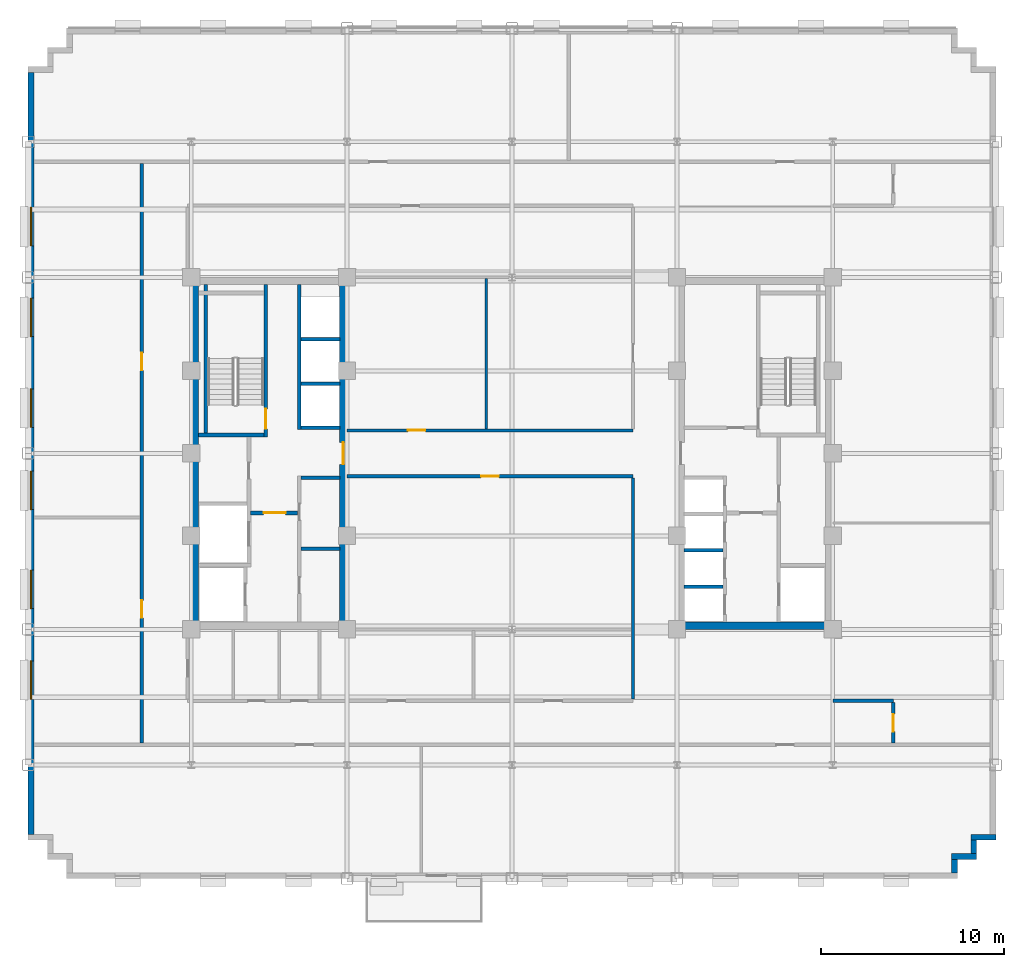
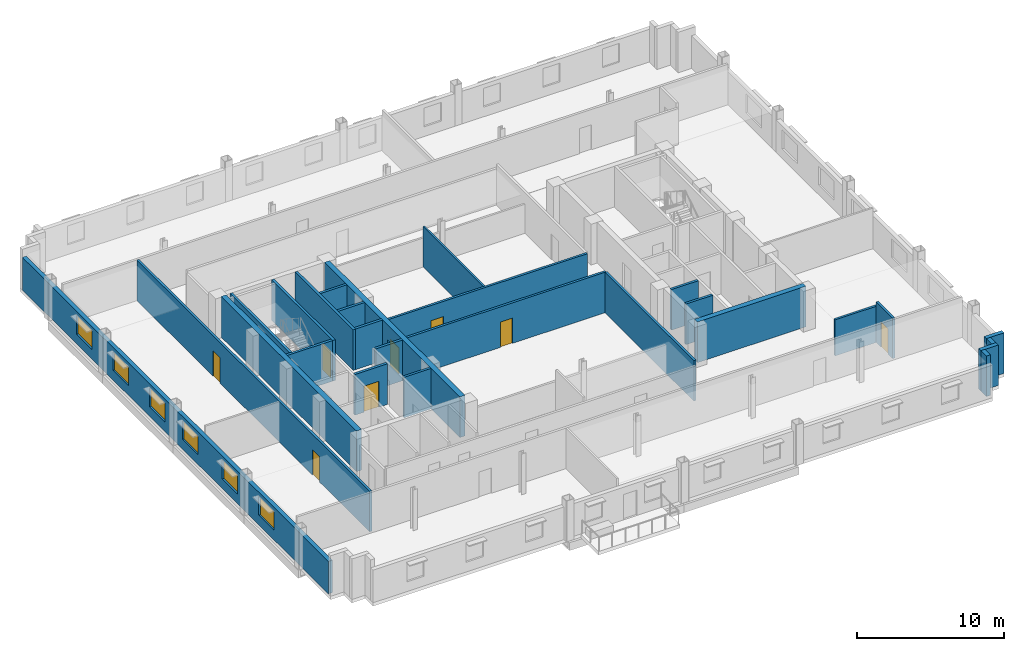
# One storey, part 7 of 14: 27 walls, 8 doors, 6 windows, 14 openings.
"""IFC4 building model written with IfcOpenShell, lengths in metres."""

from ifc_helpers import new_model, si_unit, direction, frame, frame_2d, origin, place, context, subcontext, project, spatial, rectangle, extrude, source, transform, mapped, material, layer, layer_set, type_object, type_shapes, element, fill, save


model = new_model("IFC4")

# Units and contexts
model_context = context("Model", 3, precision=1e-05, world=origin(), true_north=direction((0.0, 1.0)))
body_context = subcontext(model_context, "Body", "Model", "MODEL_VIEW")
ifc_project = project(units=[si_unit("LENGTHUNIT", "METRE"), si_unit("AREAUNIT", "SQUARE_METRE"), si_unit("VOLUMEUNIT", "CUBIC_METRE"), si_unit("PLANEANGLEUNIT", "RADIAN"), si_unit("MASSUNIT", "GRAM", prefix="KILO")], contexts=[model_context])

# Site, building, storey
site_placement = place(None, origin())
site = spatial("IfcSite", under=ifc_project, at=site_placement, CompositionType="ELEMENT")
building_placement = place(site_placement, origin())
building = spatial("IfcBuilding", under=site, at=building_placement, Name="Nuvemarco Arch Tower", CompositionType="ELEMENT")
storey_placement = place(building_placement, frame((0.0, 0.0, 127.5)))
storey = spatial("IfcBuildingStorey", under=building, at=storey_placement, Name="L33", CompositionType="ELEMENT", Elevation=127.5)

# Walls
ifc_material_1 = material(Name="Precast concrete C45/55", Category="concrete")
ifc_layer_1 = layer(ifc_material_1, 0.320068359375, Name="EW-MID-320")
ifc_layer_set_1 = layer_set([ifc_layer_1], Name="Precast concrete C45/55")
wall_type_1 = type_object("IfcWallType", Name="EW-MID-320", PredefinedType="STANDARD", material=ifc_layer_set_1)
wall_1_placement = place(storey_placement, frame((24.139892578125, -22.884033203125, 0.0), z_axis=(0.0, 0.0, 1.0), x_axis=(0.0, 1.0, 0.0)))
element("IfcWall", 1, at=wall_1_placement, inside=storey, type_object=wall_type_1, Name="L33 exterior precast facade wall 2", PredefinedType="STANDARD", context=body_context, shape_type="SweptSolid", body=[
    extrude(rectangle(XDim=0.738037109375, YDim=0.320068359375, at=frame_2d((0.369140625, 0.0))), origin(), (0.0, 0.0, 1.0), 3.360107421875),
])
wall_2_placement = place(storey_placement, frame((23.97998046875, -21.989990234375, 0.0), z_axis=(0.0, 0.0, 1.0), x_axis=(1.0, 0.0, 0.0)))
element("IfcWall", 2, at=wall_2_placement, inside=storey, type_object=wall_type_1, Name="L33 exterior precast facade wall 3", PredefinedType="STANDARD", context=body_context, shape_type="SweptSolid", body=[
    extrude(rectangle(XDim=1.3701171875, YDim=0.320068359375, at=frame_2d((0.68505859375, 0.0))), origin(), (0.0, 0.0, 1.0), 3.360107421875),
])
wall_3_placement = place(storey_placement, frame((25.18994140625, -21.833984375, 0.0), z_axis=(0.0, 0.0, 1.0), x_axis=(0.0, 1.0, 0.0)))
element("IfcWall", 3, at=wall_3_placement, inside=storey, type_object=wall_type_1, Name="L33 exterior precast facade wall 4", PredefinedType="STANDARD", context=body_context, shape_type="SweptSolid", body=[
    extrude(rectangle(XDim=0.738037109375, YDim=0.320068359375, at=frame_2d((0.369140625, 0.0))), origin(), (0.0, 0.0, 1.0), 3.360107421875),
])
wall_4_placement = place(storey_placement, frame((25.030029296875, -20.93994140625, 0.0), z_axis=(0.0, 0.0, 1.0), x_axis=(1.0, 0.0, 0.0)))
element("IfcWall", 4, at=wall_4_placement, inside=storey, type_object=wall_type_1, Name="L33 exterior precast facade wall 5", PredefinedType="STANDARD", context=body_context, shape_type="SweptSolid", body=[
    extrude(rectangle(XDim=1.369873046875, YDim=0.320068359375, at=frame_2d((0.68505859375, 0.0))), origin(), (0.0, 0.0, 1.0), 3.360107421875),
])

# Wall, openings, windows
wall_5_placement = place(storey_placement, frame((-26.239990234375, -20.783935546875, 0.0), z_axis=(0.0, 0.0, 1.0), x_axis=(0.0, 1.0, 0.0)))
wall_5 = element("IfcWall", 5, at=wall_5_placement, inside=storey, type_object=wall_type_1, Name="L33 exterior precast facade wall 16", PredefinedType="STANDARD", context=body_context, shape_type="SweptSolid", body=[
    extrude(rectangle(XDim=41.56787109375, YDim=0.320068359375, at=frame_2d((20.783935546875, 0.0))), origin(), (0.0, 0.0, 1.0), 2.705078125),
])
opening_1_placement = place(wall_5_placement, frame((7.368896484375, 0.0, 0.800048828125)))
opening_1 = element("IfcOpeningElement", 6, at=opening_1_placement, cuts=wall_5, Name="Opening WN-5", PredefinedType="OPENING", context=body_context, shape_type="SweptSolid", body=[
    extrude(rectangle(XDim=2.10009765625, YDim=1.56005859375, at=frame_2d((1.050048828125, 0.780029296875))), frame((0.0, 0.169921875, 0.0), z_axis=(0.0, -1.0, 0.0), x_axis=(1.0, 0.0, 0.0)), (0.0, 0.0, 1.0), 0.340087890625),
])
opening_2_placement = place(wall_5_placement, frame((12.31494140625, 0.0, 0.800048828125)))
opening_2 = element("IfcOpeningElement", 7, at=opening_2_placement, cuts=wall_5, Name="Opening WN-5", PredefinedType="OPENING", context=body_context, shape_type="SweptSolid", body=[
    extrude(rectangle(XDim=2.10009765625, YDim=1.56005859375, at=frame_2d((1.050048828125, 0.780029296875))), frame((0.0, 0.169921875, 0.0), z_axis=(0.0, -1.0, 0.0), x_axis=(1.0, 0.0, 0.0)), (0.0, 0.0, 1.0), 0.340087890625),
])
opening_3_placement = place(wall_5_placement, frame((17.7109375, 0.0, 0.800048828125)))
opening_3 = element("IfcOpeningElement", 8, at=opening_3_placement, cuts=wall_5, Name="Opening WN-5", PredefinedType="OPENING", context=body_context, shape_type="SweptSolid", body=[
    extrude(rectangle(XDim=2.10009765625, YDim=1.56005859375, at=frame_2d((1.050048828125, 0.780029296875))), frame((0.0, 0.169921875, 0.0), z_axis=(0.0, -1.0, 0.0), x_axis=(1.0, 0.0, 0.0)), (0.0, 0.0, 1.0), 0.340087890625),
])
opening_4_placement = place(wall_5_placement, frame((22.20703125, 0.0, 0.800048828125)))
opening_4 = element("IfcOpeningElement", 9, at=opening_4_placement, cuts=wall_5, Name="Opening WN-5", PredefinedType="OPENING", context=body_context, shape_type="SweptSolid", body=[
    extrude(rectangle(XDim=2.10009765625, YDim=1.56005859375, at=frame_2d((1.050048828125, 0.780029296875))), frame((0.0, 0.169921875, 0.0), z_axis=(0.0, -1.0, 0.0), x_axis=(1.0, 0.0, 0.0)), (0.0, 0.0, 1.0), 0.340087890625),
])
opening_5_placement = place(wall_5_placement, frame((27.153076171875, 0.0, 0.800048828125)))
opening_5 = element("IfcOpeningElement", 10, at=opening_5_placement, cuts=wall_5, Name="Opening WN-5", PredefinedType="OPENING", context=body_context, shape_type="SweptSolid", body=[
    extrude(rectangle(XDim=2.10009765625, YDim=1.56005859375, at=frame_2d((1.050048828125, 0.780029296875))), frame((0.0, 0.169921875, 0.0), z_axis=(0.0, -1.0, 0.0), x_axis=(1.0, 0.0, 0.0)), (0.0, 0.0, 1.0), 0.340087890625),
])
opening_6_placement = place(wall_5_placement, frame((32.09912109375, 0.0, 0.800048828125)))
opening_6 = element("IfcOpeningElement", 11, at=opening_6_placement, cuts=wall_5, Name="Opening WN-5", PredefinedType="OPENING", context=body_context, shape_type="SweptSolid", body=[
    extrude(rectangle(XDim=2.10009765625, YDim=1.56005859375, at=frame_2d((1.050048828125, 0.780029296875))), frame((0.0, 0.169921875, 0.0), z_axis=(0.0, -1.0, 0.0), x_axis=(1.0, 0.0, 0.0)), (0.0, 0.0, 1.0), 0.340087890625),
])
ifc_material_2 = material(Name="Insulated solar-control glass", Category="glass")
window_type = type_object("IfcWindowType", Name="WN-MID-2100x1560", PartitioningType="DOUBLE_PANEL_VERTICAL", PredefinedType="WINDOW", material=ifc_material_2)
shared_shape_1 = source(origin(), body_context, "Body", "SweptSolid", [
    extrude(rectangle(XDim=2.10009765625, YDim=1.56005859375, at=frame_2d((1.050048828125, 0.780029296875))), frame((0.0, 0.030029296875, 0.0), z_axis=(0.0, -1.0, 0.0), x_axis=(1.0, 0.0, 0.0)), (0.0, 0.0, 1.0), 0.06005859375),
])
type_shapes(window_type, [shared_shape_1])
window_1_placement = place(opening_1_placement, origin())
window_1 = element("IfcWindow", 12, at=window_1_placement, inside=storey, type_object=window_type, Name="L33 punched facade window 2", OverallHeight=1.56005859375, OverallWidth=2.10009765625, PartitioningType="SINGLE_PANEL", PredefinedType="WINDOW", context=body_context, shape_type="MappedRepresentation", body=[
    mapped(shared_shape_1, transform((0.0, 0.0, 0.0), scale=1.0)),
])
fill(opening_1, window_1)
window_2_placement = place(opening_2_placement, origin())
window_2 = element("IfcWindow", 13, at=window_2_placement, inside=storey, type_object=window_type, Name="L33 punched facade window 3", OverallHeight=1.56005859375, OverallWidth=2.10009765625, PartitioningType="SINGLE_PANEL", PredefinedType="WINDOW", context=body_context, shape_type="MappedRepresentation", body=[
    mapped(shared_shape_1, transform((0.0, 0.0, 0.0), scale=1.0)),
])
fill(opening_2, window_2)
window_3_placement = place(opening_3_placement, origin())
window_3 = element("IfcWindow", 14, at=window_3_placement, inside=storey, type_object=window_type, Name="L33 punched facade window 4", OverallHeight=1.56005859375, OverallWidth=2.10009765625, PartitioningType="SINGLE_PANEL", PredefinedType="WINDOW", context=body_context, shape_type="MappedRepresentation", body=[
    mapped(shared_shape_1, transform((0.0, 0.0, 0.0), scale=1.0)),
])
fill(opening_3, window_3)
window_4_placement = place(opening_4_placement, origin())
window_4 = element("IfcWindow", 15, at=window_4_placement, inside=storey, type_object=window_type, Name="L33 punched facade window 5", OverallHeight=1.56005859375, OverallWidth=2.10009765625, PartitioningType="SINGLE_PANEL", PredefinedType="WINDOW", context=body_context, shape_type="MappedRepresentation", body=[
    mapped(shared_shape_1, transform((0.0, 0.0, 0.0), scale=1.0)),
])
fill(opening_4, window_4)
window_5_placement = place(opening_5_placement, origin())
window_5 = element("IfcWindow", 16, at=window_5_placement, inside=storey, type_object=window_type, Name="L33 punched facade window 6", OverallHeight=1.56005859375, OverallWidth=2.10009765625, PartitioningType="SINGLE_PANEL", PredefinedType="WINDOW", context=body_context, shape_type="MappedRepresentation", body=[
    mapped(shared_shape_1, transform((0.0, 0.0, 0.0), scale=1.0)),
])
fill(opening_5, window_5)
window_6_placement = place(opening_6_placement, origin())
window_6 = element("IfcWindow", 17, at=window_6_placement, inside=storey, type_object=window_type, Name="L33 punched facade window 7", OverallHeight=1.56005859375, OverallWidth=2.10009765625, PartitioningType="SINGLE_PANEL", PredefinedType="WINDOW", context=body_context, shape_type="MappedRepresentation", body=[
    mapped(shared_shape_1, transform((0.0, 0.0, 0.0), scale=1.0)),
])
fill(opening_6, window_6)

# Wall
ifc_material_3 = material(Name="Concrete C60/75", Category="concrete")
ifc_layer_2 = layer(ifc_material_3, 0.39990234375, Name="WL-CORE-400")
ifc_layer_set_2 = layer_set([ifc_layer_2], Name="Concrete C60/75")
wall_type_2 = type_object("IfcWallType", Name="WL-CORE-400", PredefinedType="SHEAR", material=ifc_layer_set_2)
wall_6_placement = place(storey_placement, frame((-17.300048828125, -9.205078125, 0.0), z_axis=(0.0, 0.0, 1.0), x_axis=(0.0, 1.0, 0.0)))
element("IfcWall", 18, at=wall_6_placement, inside=storey, type_object=wall_type_2, Name="L33 W-core shear wall W", PredefinedType="SHEAR", context=body_context, shape_type="SweptSolid", body=[
    extrude(rectangle(XDim=18.41015625, YDim=0.39990234375, at=frame_2d((9.205078125, 0.0))), origin(), (0.0, 0.0, 1.0), 3.3701171875),
])

# Wall, opening, door
wall_7_placement = place(storey_placement, frame((-9.199951171875, -9.205078125, 0.0), z_axis=(0.0, 0.0, 1.0), x_axis=(0.0, 1.0, 0.0)))
wall_7 = element("IfcWall", 19, at=wall_7_placement, inside=storey, type_object=wall_type_2, Name="L33 W-core shear wall E", PredefinedType="SHEAR", context=body_context, shape_type="SweptSolid", body=[
    extrude(rectangle(XDim=18.41015625, YDim=0.39990234375, at=frame_2d((9.205078125, 0.0))), origin(), (0.0, 0.0, 1.0), 3.3701171875),
])
opening_7_placement = place(wall_7_placement, frame((8.60498046875, 0.0, 0.0)))
opening_7 = element("IfcOpeningElement", 20, at=opening_7_placement, cuts=wall_7, Name="Opening FD-2", PredefinedType="OPENING", context=body_context, shape_type="SweptSolid", body=[
    extrude(rectangle(XDim=1.199951171875, YDim=2.14990234375, at=frame_2d((0.60009765625, 1.074951171875))), frame((0.0, 0.2099609375, 0.0), z_axis=(0.0, -1.0, 0.0), x_axis=(1.0, 0.0, 0.0)), (0.0, 0.0, 1.0), 0.419921875),
])
ifc_material_4 = material(Name="Anodised steel fire door", Category="steel")
door_type_1 = type_object("IfcDoorType", Name="DR-FFLOB-FD", OperationType="NOTDEFINED", PredefinedType="DOOR", material=ifc_material_4)
shared_shape_2 = source(origin(), body_context, "Body", "SweptSolid", [
    extrude(rectangle(XDim=1.199951171875, YDim=2.14990234375, at=frame_2d((0.60009765625, 1.074951171875))), frame((0.0, 0.02490234375, 0.0), z_axis=(0.0, -1.0, 0.0), x_axis=(1.0, 0.0, 0.0)), (0.0, 0.0, 1.0), 0.050048828125),
])
type_shapes(door_type_1, [shared_shape_2])
door_1_placement = place(opening_7_placement, origin())
door_1 = element("IfcDoor", 21, at=door_1_placement, inside=storey, type_object=door_type_1, Name="L33 door FD-L33-WCORE-E", OperationType="SINGLE_SWING_LEFT", OverallHeight=2.14990234375, OverallWidth=1.199951171875, PredefinedType="DOOR", context=body_context, shape_type="MappedRepresentation", body=[
    mapped(shared_shape_2, transform((0.0, 0.0, 0.0), scale=1.0)),
])
fill(opening_7, door_1)

# Walls
wall_8_placement = place(storey_placement, frame((9.0, -9.39990234375, 0.0), z_axis=(0.0, 0.0, 1.0), x_axis=(1.0, 0.0, 0.0)))
element("IfcWall", 22, at=wall_8_placement, inside=storey, type_object=wall_type_2, Name="L33 E-core shear wall S", PredefinedType="SHEAR", context=body_context, shape_type="SweptSolid", body=[
    extrude(rectangle(XDim=8.5, YDim=0.39990234375, at=frame_2d((4.25, 0.0))), origin(), (0.0, 0.0, 1.0), 3.3701171875),
])
ifc_material_5 = material(Name="Fire-rated gypsum drywall partition")
ifc_layer_3 = layer(ifc_material_5, 0.179931640625, Name="WL-CORR-180")
ifc_layer_set_3 = layer_set([ifc_layer_3], Name="Fire-rated gypsum drywall partition")
wall_type_3 = type_object("IfcWallType", Name="WL-CORR-180", PredefinedType="PARTITIONING", material=ifc_layer_set_3)
wall_9_placement = place(storey_placement, frame((-11.5048828125, -5.199951171875, 0.0), z_axis=(0.0, 0.0, 1.0), x_axis=(1.0, 0.0, 0.0)))
element("IfcWall", 23, at=wall_9_placement, inside=storey, type_object=wall_type_3, Name="L33 interior wall IW-L33-W-RECK1", PredefinedType="PARTITIONING", context=body_context, shape_type="SweptSolid", body=[
    extrude(rectangle(XDim=2.10986328125, YDim=0.179931640625, at=frame_2d((1.054931640625, 0.0))), origin(), (0.0, 0.0, 1.0), 3.360107421875),
])
wall_10_placement = place(storey_placement, frame((17.5, -13.5, 0.0), z_axis=(0.0, 0.0, 1.0), x_axis=(1.0, 0.0, 0.0)))
element("IfcWall", 24, at=wall_10_placement, inside=storey, type_object=wall_type_3, Name="L33 interior wall IW-L33-003", PredefinedType="PARTITIONING", context=body_context, shape_type="SweptSolid", body=[
    extrude(rectangle(XDim=3.300048828125, YDim=0.179931640625, at=frame_2d((1.64990234375, 0.0))), origin(), (0.0, 0.0, 1.0), 2.998046875),
])

# Wall, opening, door
wall_11_placement = place(storey_placement, frame((-9.0, -1.25, 0.0), z_axis=(0.0, 0.0, 1.0), x_axis=(1.0, 0.0, 0.0)))
wall_11 = element("IfcWall", 25, at=wall_11_placement, inside=storey, type_object=wall_type_3, Name="L33 interior wall IW-L33-008", PredefinedType="PARTITIONING", context=body_context, shape_type="SweptSolid", body=[
    extrude(rectangle(XDim=15.60009765625, YDim=0.179931640625, at=frame_2d((7.800048828125, 0.0))), origin(), (0.0, 0.0, 1.0), 3.360107421875),
])
opening_8_placement = place(wall_11_placement, frame((7.320068359375, 0.0, 0.0)))
opening_8 = element("IfcOpeningElement", 26, at=opening_8_placement, cuts=wall_11, Name="Opening FD-5", PredefinedType="OPENING", context=body_context, shape_type="SweptSolid", body=[
    extrude(rectangle(XDim=0.9599609375, YDim=2.10009765625, at=frame_2d((0.47998046875, 1.050048828125))), frame((0.0, 0.099853515625, 0.0), z_axis=(0.0, -1.0, 0.0), x_axis=(1.0, 0.0, 0.0)), (0.0, 0.0, 1.0), 0.199951171875),
])
ifc_material_6 = material(Name="Timber fire door", Category="wood")
door_type_2 = type_object("IfcDoorType", Name="DR-CORR-FD", OperationType="NOTDEFINED", PredefinedType="DOOR", material=ifc_material_6)
shared_shape_3 = source(origin(), body_context, "Body", "SweptSolid", [
    extrude(rectangle(XDim=0.9599609375, YDim=2.10009765625, at=frame_2d((0.47998046875, 1.050048828125))), frame((0.0, 0.02490234375, 0.0), z_axis=(0.0, -1.0, 0.0), x_axis=(1.0, 0.0, 0.0)), (0.0, 0.0, 1.0), 0.050048828125),
])
type_shapes(door_type_2, [shared_shape_3])
door_2_placement = place(opening_8_placement, origin())
door_2 = element("IfcDoor", 27, at=door_2_placement, inside=storey, type_object=door_type_2, Name="L33 door DR-L33-C_S1", OperationType="SINGLE_SWING_LEFT", OverallHeight=2.10009765625, OverallWidth=0.9599609375, PredefinedType="DOOR", context=body_context, shape_type="MappedRepresentation", body=[
    mapped(shared_shape_3, transform((0.0, 0.0, 0.0), scale=1.0)),
])
fill(opening_8, door_2)

wall_12_placement = place(storey_placement, frame((-9.0, 1.25, 0.0), z_axis=(0.0, 0.0, 1.0), x_axis=(1.0, 0.0, 0.0)))
wall_12 = element("IfcWall", 28, at=wall_12_placement, inside=storey, type_object=wall_type_3, Name="L33 interior wall IW-L33-009", PredefinedType="PARTITIONING", context=body_context, shape_type="SweptSolid", body=[
    extrude(rectangle(XDim=15.60009765625, YDim=0.179931640625, at=frame_2d((7.800048828125, 0.0))), origin(), (0.0, 0.0, 1.0), 3.360107421875),
])
opening_9_placement = place(wall_12_placement, frame((3.320068359375, 0.0, 0.0)))
opening_9 = element("IfcOpeningElement", 29, at=opening_9_placement, cuts=wall_12, Name="Opening FD-5", PredefinedType="OPENING", context=body_context, shape_type="SweptSolid", body=[
    extrude(rectangle(XDim=0.9599609375, YDim=2.10009765625, at=frame_2d((0.47998046875, 1.050048828125))), frame((0.0, 0.099853515625, 0.0), z_axis=(0.0, -1.0, 0.0), x_axis=(1.0, 0.0, 0.0)), (0.0, 0.0, 1.0), 0.199951171875),
])
door_3_placement = place(opening_9_placement, origin())
door_3 = element("IfcDoor", 30, at=door_3_placement, inside=storey, type_object=door_type_2, Name="L33 door DR-L33-C_N1", OperationType="SINGLE_SWING_LEFT", OverallHeight=2.10009765625, OverallWidth=0.9599609375, PredefinedType="DOOR", context=body_context, shape_type="MappedRepresentation", body=[
    mapped(shared_shape_3, transform((0.0, 0.0, 0.0), scale=1.0)),
])
fill(opening_9, door_3)

# Wall, openings, doors
wall_13_placement = place(storey_placement, frame((-20.199951171875, -15.81396484375, 0.0), z_axis=(0.0, 0.0, 1.0), x_axis=(0.0, 1.0, 0.0)))
wall_13 = element("IfcWall", 31, at=wall_13_placement, inside=storey, type_object=wall_type_3, Name="L33 interior wall IW-L33-015", PredefinedType="PARTITIONING", context=body_context, shape_type="SweptSolid", body=[
    extrude(rectangle(XDim=31.6279296875, YDim=0.179931640625, at=frame_2d((15.81396484375, 0.0))), origin(), (0.0, 0.0, 1.0), 3.360107421875),
])
opening_10_placement = place(wall_13_placement, frame((20.333984375, 0.0, 0.0)))
opening_10 = element("IfcOpeningElement", 32, at=opening_10_placement, cuts=wall_13, Name="Opening FD-5", PredefinedType="OPENING", context=body_context, shape_type="SweptSolid", body=[
    extrude(rectangle(XDim=0.9599609375, YDim=2.10009765625, at=frame_2d((0.47998046875, 1.050048828125))), frame((0.0, 0.099853515625, 0.0), z_axis=(0.0, -1.0, 0.0), x_axis=(1.0, 0.0, 0.0)), (0.0, 0.0, 1.0), 0.199951171875),
])
opening_11_placement = place(wall_13_placement, frame((6.833984375, 0.0, 0.0)))
opening_11 = element("IfcOpeningElement", 33, at=opening_11_placement, cuts=wall_13, Name="Opening FD-5", PredefinedType="OPENING", context=body_context, shape_type="SweptSolid", body=[
    extrude(rectangle(XDim=0.9599609375, YDim=2.10009765625, at=frame_2d((0.47998046875, 1.050048828125))), frame((0.0, 0.099853515625, 0.0), z_axis=(0.0, -1.0, 0.0), x_axis=(1.0, 0.0, 0.0)), (0.0, 0.0, 1.0), 0.199951171875),
])
door_4_placement = place(opening_10_placement, origin())
door_4 = element("IfcDoor", 34, at=door_4_placement, inside=storey, type_object=door_type_2, Name="L33 door DR-L33-W_2", OperationType="SINGLE_SWING_RIGHT", OverallHeight=2.10009765625, OverallWidth=0.9599609375, PredefinedType="DOOR", context=body_context, shape_type="MappedRepresentation", body=[
    mapped(shared_shape_3, transform((0.0, 0.0, 0.0), scale=1.0)),
])
fill(opening_10, door_4)
door_5_placement = place(opening_11_placement, origin())
door_5 = element("IfcDoor", 35, at=door_5_placement, inside=storey, type_object=door_type_2, Name="L33 door DR-L33-W_1", OperationType="SINGLE_SWING_LEFT", OverallHeight=2.10009765625, OverallWidth=0.9599609375, PredefinedType="DOOR", context=body_context, shape_type="MappedRepresentation", body=[
    mapped(shared_shape_3, transform((0.0, 0.0, 0.0), scale=1.0)),
])
fill(opening_11, door_5)

# Wall
wall_14_placement = place(storey_placement, frame((6.60009765625, -13.4140625, 0.0), z_axis=(0.0, 0.0, 1.0), x_axis=(0.0, 1.0, 0.0)))
element("IfcWall", 36, at=wall_14_placement, inside=storey, type_object=wall_type_3, Name="L33 interior wall IW-L33-025", PredefinedType="PARTITIONING", context=body_context, shape_type="SweptSolid", body=[
    extrude(rectangle(XDim=12.078125, YDim=0.179931640625, at=frame_2d((6.0390625, 0.0))), origin(), (0.0, 0.0, 1.0), 3.360107421875),
])

# Wall, opening, door
wall_15_placement = place(storey_placement, frame((20.800048828125, -15.81396484375, 0.0), z_axis=(0.0, 0.0, 1.0), x_axis=(0.0, 1.0, 0.0)))
wall_15 = element("IfcWall", 37, at=wall_15_placement, inside=storey, type_object=wall_type_3, Name="L33 interior wall IW-L33-027", PredefinedType="PARTITIONING", context=body_context, shape_type="SweptSolid", body=[
    extrude(rectangle(XDim=2.22802734375, YDim=0.179931640625, at=frame_2d((1.114013671875, 0.0))), origin(), (0.0, 0.0, 1.0), 3.360107421875),
])
opening_12_placement = place(wall_15_placement, frame((0.634033203125, 0.0, 0.0)))
opening_12 = element("IfcOpeningElement", 38, at=opening_12_placement, cuts=wall_15, Name="Opening FD-5", PredefinedType="OPENING", context=body_context, shape_type="SweptSolid", body=[
    extrude(rectangle(XDim=0.9599609375, YDim=2.10009765625, at=frame_2d((0.47998046875, 1.050048828125))), frame((0.0, 0.099853515625, 0.0), z_axis=(0.0, -1.0, 0.0), x_axis=(1.0, 0.0, 0.0)), (0.0, 0.0, 1.0), 0.199951171875),
])
door_6_placement = place(opening_12_placement, origin())
door_6 = element("IfcDoor", 39, at=door_6_placement, inside=storey, type_object=door_type_2, Name="L33 door DR-L33-E_1", OperationType="SINGLE_SWING_RIGHT", OverallHeight=2.10009765625, OverallWidth=0.9599609375, PredefinedType="DOOR", context=body_context, shape_type="MappedRepresentation", body=[
    mapped(shared_shape_3, transform((0.0, 0.0, 0.0), scale=1.0)),
])
fill(opening_12, door_6)

# Wall
ifc_material_7 = material(Name="Gypsum plasterboard partition")
ifc_layer_4 = layer(ifc_material_7, 0.139892578125, Name="WL-ROOM-140")
ifc_layer_set_4 = layer_set([ifc_layer_4], Name="Gypsum plasterboard partition")
wall_type_4 = type_object("IfcWallType", Name="WL-ROOM-140", PredefinedType="PARTITIONING", material=ifc_layer_set_4)
wall_16_placement = place(storey_placement, frame((-1.39990234375, 1.3359375, 0.0), z_axis=(0.0, 0.0, 1.0), x_axis=(0.0, 1.0, 0.0)))
element("IfcWall", 40, at=wall_16_placement, inside=storey, type_object=wall_type_4, Name="L33 interior wall IW-L33-023", PredefinedType="PARTITIONING", context=body_context, shape_type="SweptSolid", body=[
    extrude(rectangle(XDim=8.197998046875, YDim=0.139892578125, at=frame_2d((4.09912109375, 0.0))), origin(), (0.0, 0.0, 1.0), 3.360107421875),
])

# Wall, opening, door
ifc_material_8 = material(Name="Concrete C50/60", Category="concrete")
ifc_layer_5 = layer(ifc_material_8, 0.199951171875, Name="WL-SHAFT-220")
ifc_layer_set_5 = layer_set([ifc_layer_5], Name="Concrete C50/60")
wall_type_5 = type_object("IfcWallType", Name="WL-SHAFT-220", PredefinedType="SHEAR", material=ifc_layer_set_5)
wall_17_placement = place(storey_placement, frame((-13.43994140625, 0.89990234375, 0.0), z_axis=(0.0, 0.0, 1.0), x_axis=(0.0, 1.0, 0.0)))
wall_17 = element("IfcWall", 41, at=wall_17_placement, inside=storey, type_object=wall_type_5, Name="L33 structural shaft wall SW-L33-W-ST1E", PredefinedType="SHEAR", context=body_context, shape_type="SweptSolid", body=[
    extrude(rectangle(XDim=8.30517578125, YDim=0.199951171875, at=frame_2d((4.152587890625, 0.0))), origin(), (0.0, 0.0, 1.0), 3.3701171875),
])
opening_13_placement = place(wall_17_placement, frame((1.530029296875, 0.0, 0.0), z_axis=(0.0, 0.0, 1.0), x_axis=(-1.0, 0.0, 0.0)))
opening_13 = element("IfcOpeningElement", 42, at=opening_13_placement, cuts=wall_17, Name="Opening FD-1", PredefinedType="OPENING", context=body_context, shape_type="SweptSolid", body=[
    extrude(rectangle(XDim=1.10009765625, YDim=2.14990234375, at=frame_2d((0.550048828125, 1.074951171875))), frame((0.0, 0.10986328125, 0.0), z_axis=(0.0, -1.0, 0.0), x_axis=(1.0, 0.0, 0.0)), (0.0, 0.0, 1.0), 0.219970703125),
])
door_type_3 = type_object("IfcDoorType", Name="DR-STAIR-FD", OperationType="NOTDEFINED", PredefinedType="DOOR", material=ifc_material_4)
shared_shape_4 = source(origin(), body_context, "Body", "SweptSolid", [
    extrude(rectangle(XDim=1.10009765625, YDim=2.14990234375, at=frame_2d((0.550048828125, 1.074951171875))), frame((0.0, 0.02490234375, 0.0), z_axis=(0.0, -1.0, 0.0), x_axis=(1.0, 0.0, 0.0)), (0.0, 0.0, 1.0), 0.050048828125),
])
type_shapes(door_type_3, [shared_shape_4])
door_7_placement = place(opening_13_placement, origin())
door_7 = element("IfcDoor", 43, at=door_7_placement, inside=storey, type_object=door_type_3, Name="L33 door FD-L33-ST1", OperationType="SINGLE_SWING_LEFT", OverallHeight=2.14990234375, OverallWidth=1.10009765625, PredefinedType="DOOR", context=body_context, shape_type="MappedRepresentation", body=[
    mapped(shared_shape_4, transform((0.0, 0.0, 0.0), scale=1.0)),
])
fill(opening_13, door_7)

# Walls
wall_18_placement = place(storey_placement, frame((-17.10498046875, 1.0, 0.0), z_axis=(0.0, 0.0, 1.0), x_axis=(1.0, 0.0, 0.0)))
element("IfcWall", 44, at=wall_18_placement, inside=storey, type_object=wall_type_5, Name="L33 structural shaft wall SW-L33-W-ST1S", PredefinedType="SHEAR", context=body_context, shape_type="SweptSolid", body=[
    extrude(rectangle(XDim=3.570068359375, YDim=0.199951171875, at=frame_2d((1.78515625, 0.0))), origin(), (0.0, 0.0, 1.0), 3.3701171875),
])
wall_19_placement = place(storey_placement, frame((-16.699951171875, 1.094970703125, 0.0), z_axis=(0.0, 0.0, 1.0), x_axis=(0.0, 1.0, 0.0)))
element("IfcWall", 45, at=wall_19_placement, inside=storey, type_object=wall_type_5, Name="L33 structural shaft wall SW-L33-W-ST1W", PredefinedType="SHEAR", context=body_context, shape_type="SweptSolid", body=[
    extrude(rectangle(XDim=8.110107421875, YDim=0.199951171875, at=frame_2d((4.05517578125, 0.0))), origin(), (0.0, 0.0, 1.0), 3.3701171875),
])

# Wall, opening, door
wall_20_placement = place(storey_placement, frame((-14.2548828125, -3.25, 0.0), z_axis=(0.0, 0.0, 1.0), x_axis=(1.0, 0.0, 0.0)))
wall_20 = element("IfcWall", 46, at=wall_20_placement, inside=storey, type_object=wall_type_5, Name="L33 structural shaft wall SW-L33-W-FFN", PredefinedType="SHEAR", context=body_context, shape_type="SweptSolid", body=[
    extrude(rectangle(XDim=2.559814453125, YDim=0.199951171875, at=frame_2d((1.27978515625, 0.0))), origin(), (0.0, 0.0, 1.0), 3.3701171875),
])
opening_14_placement = place(wall_20_placement, frame((0.705078125, 0.0, 0.0)))
opening_14 = element("IfcOpeningElement", 47, at=opening_14_placement, cuts=wall_20, Name="Opening FD-2", PredefinedType="OPENING", context=body_context, shape_type="SweptSolid", body=[
    extrude(rectangle(XDim=1.199951171875, YDim=2.14990234375, at=frame_2d((0.60009765625, 1.074951171875))), frame((0.0, 0.10986328125, 0.0), z_axis=(0.0, -1.0, 0.0), x_axis=(1.0, 0.0, 0.0)), (0.0, 0.0, 1.0), 0.219970703125),
])
door_8_placement = place(opening_14_placement, origin())
door_8 = element("IfcDoor", 48, at=door_8_placement, inside=storey, type_object=door_type_1, Name="L33 door FD-L33-WFF1", OperationType="SINGLE_SWING_LEFT", OverallHeight=2.14990234375, OverallWidth=1.199951171875, PredefinedType="DOOR", context=body_context, shape_type="MappedRepresentation", body=[
    mapped(shared_shape_2, transform((0.0, 0.0, 0.0), scale=1.0)),
])
fill(opening_14, door_8)

# Walls
wall_21_placement = place(storey_placement, frame((-11.5048828125, -1.330078125, 0.0), z_axis=(0.0, 0.0, 1.0), x_axis=(1.0, 0.0, 0.0)))
element("IfcWall", 49, at=wall_21_placement, inside=storey, type_object=wall_type_5, Name="L33 structural shaft wall SW-L33-W-PLTOP", PredefinedType="SHEAR", context=body_context, shape_type="SweptSolid", body=[
    extrude(rectangle(XDim=2.10986328125, YDim=0.199951171875, at=frame_2d((1.054931640625, 0.0))), origin(), (0.0, 0.0, 1.0), 3.3701171875),
])
wall_22_placement = place(storey_placement, frame((-11.60009765625, 1.300048828125, 0.0), z_axis=(0.0, 0.0, 1.0), x_axis=(0.0, 1.0, 0.0)))
element("IfcWall", 50, at=wall_22_placement, inside=storey, type_object=wall_type_5, Name="L33 structural shaft wall SW-L33-W-PHW", PredefinedType="SHEAR", context=body_context, shape_type="SweptSolid", body=[
    extrude(rectangle(XDim=7.905029296875, YDim=0.199951171875, at=frame_2d((3.95263671875, 0.0))), origin(), (0.0, 0.0, 1.0), 3.3701171875),
])
for number, where, z_axis, x_axis, name in (
    (51, (-11.5048828125, 1.39990234375, 0.0), (0.0, 0.0, 1.0), (1.0, 0.0, 0.0), "L33 structural shaft wall SW-L33-W-PHD1"),
    (52, (-11.5048828125, 3.800048828125, 0.0), (0.0, 0.0, 1.0), (1.0, 0.0, 0.0), "L33 structural shaft wall SW-L33-W-PHD2"),
    (53, (-11.5048828125, 6.219970703125, 0.0), (0.0, 0.0, 1.0), (1.0, 0.0, 0.0), "L33 structural shaft wall SW-L33-W-PHD3"),
    (54, (9.39501953125, -7.27001953125, 0.0), (0.0, 0.0, 1.0), (1.0, 0.0, 0.0), "L33 structural shaft wall SW-L33-E-PMD1"),
    (55, (9.39501953125, -5.2900390625, 0.0), (0.0, 0.0, 1.0), (1.0, 0.0, 0.0), "L33 structural shaft wall SW-L33-E-PMD2"),
):
    element("IfcWall", number, at=place(storey_placement, frame(where, z_axis=z_axis, x_axis=x_axis)), inside=storey, type_object=wall_type_5, Name=name, PredefinedType="SHEAR", context=body_context, shape_type="SweptSolid", body=[
        extrude(rectangle(XDim=2.10986328125, YDim=0.199951171875, at=frame_2d((1.054931640625, 0.0))), origin(), (0.0, 0.0, 1.0), 3.3701171875),
    ])

save(model, "model.ifc")
